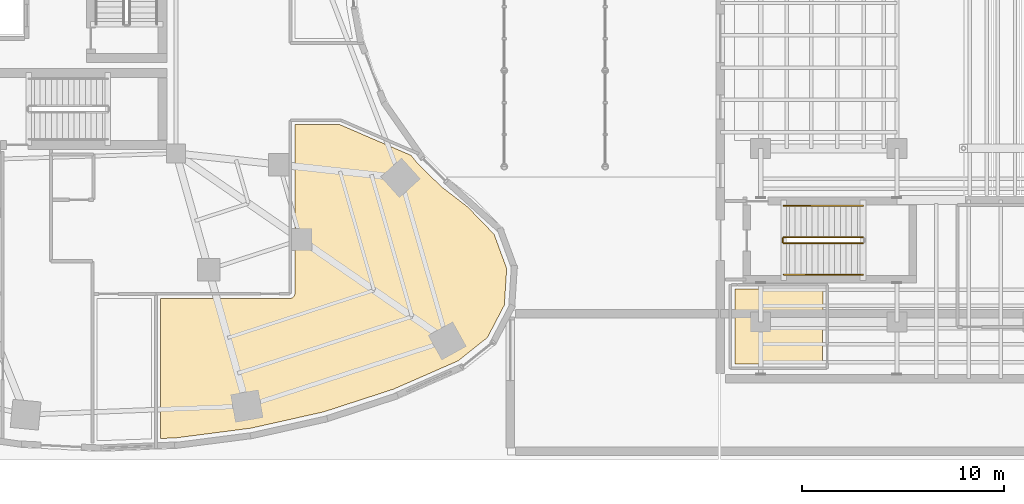
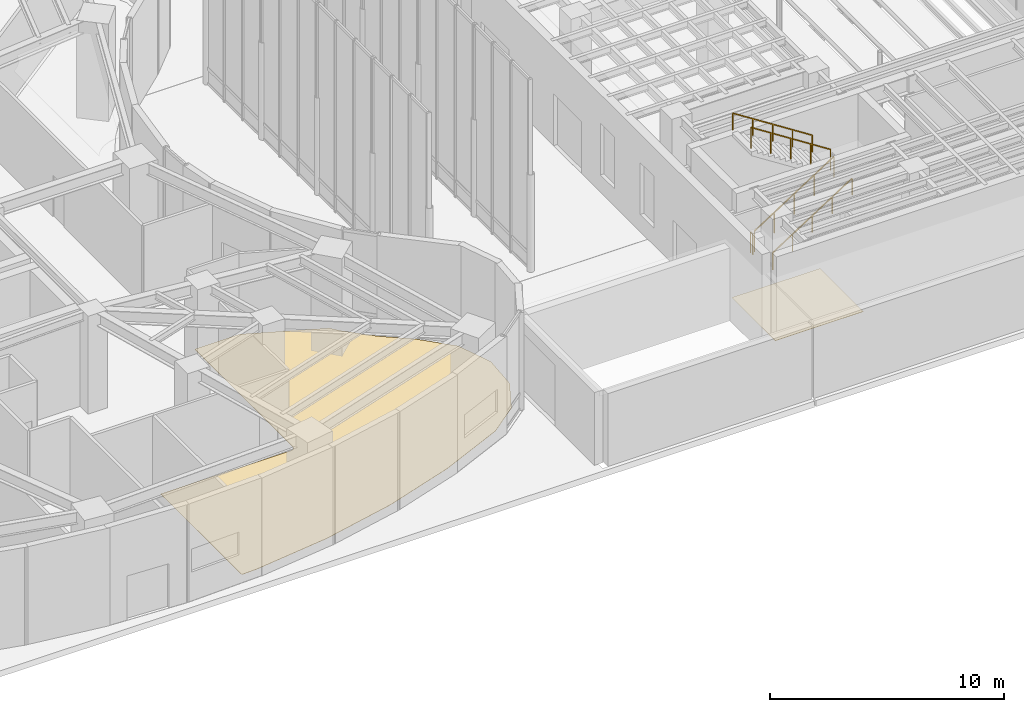
# One storey, part 25 of 28: 5 railings, 2 coverings.
"""IFC4 building model written with IfcOpenShell, lengths in metres."""

import ifcopenshell
import ifcopenshell.guid

model = None  # the IFC model being written
_history = None  # IfcOwnerHistory: only IFC2X3 demands one
_inside = {}  # id of a spatial element -> (the spatial element, [elements in it])
_under = {}  # id of a project, library or spatial element -> (it, [spatial elements below it])
_declared = {}  # id of a project -> (the project, [libraries it declares])
_typed = {}  # id of a type object -> (the type object, [elements of that type])
_made_of = {}  # id of a material, layer set ... -> (it, [elements and type objects made of it])


def new_model(schema):
    """Start an empty IFC model of exactly this schema.

    Asked for "IFC4X3", IfcOpenShell would pick the latest addendum, in which some entities
    have other attributes; the version numbers below select the first issue.
    IFC2X3 requires an IfcOwnerHistory on every rooted entity: one is made here for all.
    """
    global model, _history
    if schema == "IFC4X3":
        model = ifcopenshell.file(schema_version=(4, 3, 0, 0))
    else:
        model = ifcopenshell.file(schema=schema)
    _inside.clear()
    _under.clear()
    _declared.clear()
    _typed.clear()
    _made_of.clear()
    _history = None
    if model.schema == "IFC2X3":
        org = make("IfcOrganization", Name="unknown")
        user = make(
            "IfcPersonAndOrganization",
            ThePerson=make("IfcPerson", FamilyName="unknown"),
            TheOrganization=org,
        )
        app = make(
            "IfcApplication",
            ApplicationDeveloper=org,
            Version="unknown",
            ApplicationFullName="unknown",
            ApplicationIdentifier="unknown",
        )
        _history = make(
            "IfcOwnerHistory",
            OwningUser=user,
            OwningApplication=app,
            ChangeAction="ADDED",
            CreationDate=0,
        )
    return model


def make(cls, **values):
    """One entity of the class cls with the attributes given. An attribute that is None is left unset."""
    return model.create_entity(
        cls, **{name: value for name, value in values.items() if value is not None}
    )


def rooted(cls, **values):
    """An entity with a GlobalId (a new one), such as an element, a storey or a relation."""
    return make(cls, GlobalId=ifcopenshell.guid.new(), OwnerHistory=_history, **values)


def si_unit(unit_type, name, prefix=None):
    """IfcSIUnit, for example si_unit("LENGTHUNIT", "METRE", prefix="MILLI")."""
    return make("IfcSIUnit", UnitType=unit_type, Prefix=prefix, Name=name)


def assignment(units):
    """IfcUnitAssignment: the units of a project."""
    return None if units is None else make("IfcUnitAssignment", Units=units)


def point(xyz):
    """IfcCartesianPoint."""
    return None if xyz is None else make("IfcCartesianPoint", Coordinates=xyz)


def direction(xyz):
    """IfcDirection."""
    return None if xyz is None else make("IfcDirection", DirectionRatios=xyz)


def frame(location, z_axis=None, x_axis=None):
    """IfcAxis2Placement3D, a coordinate frame: its origin and axes. An axis left out is left unset."""
    return make(
        "IfcAxis2Placement3D",
        Location=point(location),
        Axis=direction(z_axis),
        RefDirection=direction(x_axis),
    )


def frame_2d(location, x_axis=None):
    """IfcAxis2Placement2D, a coordinate frame in the plane: its origin and x axis."""
    return make(
        "IfcAxis2Placement2D", Location=point(location), RefDirection=direction(x_axis)
    )


def origin():
    """The frame at (0, 0, 0) with its axes left unset."""
    return frame((0.0, 0.0, 0.0))


def origin_2d():
    """The frame at (0, 0) in the plane with its x axis left unset."""
    return frame_2d((0.0, 0.0))


def place(relative_to, where):
    """IfcLocalPlacement: puts the frame where relative to a parent placement (None: the world)."""
    return make(
        "IfcLocalPlacement", PlacementRelTo=relative_to, RelativePlacement=where
    )


def context(
    kind, dimensions, precision=None, world=None, true_north=None, identifier=None
):
    """IfcGeometricRepresentationContext, for example the 3D "Model" context."""
    return make(
        "IfcGeometricRepresentationContext",
        ContextIdentifier=identifier,
        ContextType=kind,
        CoordinateSpaceDimension=dimensions,
        Precision=precision,
        WorldCoordinateSystem=world,
        TrueNorth=true_north,
    )


def subcontext(parent, identifier, kind, view, scale=None):
    """IfcGeometricRepresentationSubContext, for example "Body" below "Model"."""
    return make(
        "IfcGeometricRepresentationSubContext",
        ContextIdentifier=identifier,
        ContextType=kind,
        ParentContext=parent,
        TargetScale=scale,
        TargetView=view,
    )


def project(units=None, contexts=None):
    """IfcProject with its units and contexts."""
    return rooted(
        "IfcProject",
        Name="project",
        RepresentationContexts=contexts,
        UnitsInContext=assignment(units),
    )


def spatial(cls, under=None, at=None, **own):
    """A site, building, storey or space (cls), placed at a placement, below another one or the project."""
    s = rooted(cls, ObjectPlacement=at, **own)
    if under is not None:
        _under.setdefault(under.id(), (under, []))[1].append(s)
    return s


def polyline(points):
    """IfcPolyline through the points."""
    return make("IfcPolyline", Points=[point(p) for p in points])


def profile(cls, at=None, kind="AREA", **sizes):
    """A parametric profile (cls). Its sizes go by their IFC names, for example OverallWidth=200.0."""
    return make(cls, ProfileType=kind, Position=at, **sizes)


def rectangle(**sizes):
    """IfcRectangleProfileDef."""
    return profile("IfcRectangleProfileDef", **sizes)


def outline(outer, holes=None, kind="AREA"):
    """IfcArbitraryClosedProfileDef: a profile drawn as a closed curve; with holes, ...WithVoids."""
    if holes is None:
        return make("IfcArbitraryClosedProfileDef", ProfileType=kind, OuterCurve=outer)
    return make(
        "IfcArbitraryProfileDefWithVoids",
        ProfileType=kind,
        OuterCurve=outer,
        InnerCurves=holes,
    )


def extrude(swept, where, along, depth):
    """IfcExtrudedAreaSolid: the profile swept, set in the frame where, extruded along a direction by depth."""
    return make(
        "IfcExtrudedAreaSolid",
        SweptArea=swept,
        Position=where,
        ExtrudedDirection=direction(along),
        Depth=depth,
    )


def shape(context_of_items, identifier, shape_type, items):
    """IfcShapeRepresentation: the items that make up one representation, for example the "Body"."""
    return make(
        "IfcShapeRepresentation",
        ContextOfItems=context_of_items,
        RepresentationIdentifier=identifier,
        RepresentationType=shape_type,
        Items=items,
    )


def material(Name=None, Category=None):
    """IfcMaterial."""
    return make("IfcMaterial", Name=Name, Category=Category)


def layer(
    of_material, thickness, ventilated=None, Name=None, Category=None, Priority=None
):
    """IfcMaterialLayer: one layer of a wall or slab, of a material (None: an air gap)."""
    return make(
        "IfcMaterialLayer",
        Material=of_material,
        LayerThickness=thickness,
        IsVentilated=ventilated,
        Name=Name,
        Category=Category,
        Priority=Priority,
    )


def layer_set(layers, Name=None):
    """IfcMaterialLayerSet."""
    return make("IfcMaterialLayerSet", MaterialLayers=layers, LayerSetName=Name)


def made_of(thing, what):
    """Note that an element or type object is made of a material, layer set ...; save() writes the relation."""
    if what is not None:
        _made_of.setdefault(what.id(), (what, []))[1].append(thing)
    return thing


def type_object(cls, material=None, **own):
    """A type object (cls), such as IfcWallType, which elements share."""
    return made_of(rooted(cls, **own), material)


def element(
    cls,
    number,
    at=None,
    inside=None,
    cuts=None,
    type_object=None,
    material=None,
    context=None,
    identifier="Body",
    shape_type=None,
    held_by="IfcProductDefinitionShape",
    body=None,
    shapes=None,
    **own,
):
    """One element of the class cls, such as IfcWall. Its Tag is "e" and its number.

    at: its placement. inside: the storey or other place that contains it. cuts: it is an
    opening in that element (IfcRelVoidsElement). A single representation is given by context,
    identifier, shape_type and body (its items); several are given by shapes. held_by: the class
    of the entity that holds the representations. save() writes the other relations.
    """
    e = rooted(cls, Tag="e%d" % number, ObjectPlacement=at, **own)
    if body is not None:
        shapes = [shape(context, identifier, shape_type, body)]
    if shapes is not None:
        e.Representation = make(held_by, Representations=shapes)
    if inside is not None:
        _inside.setdefault(inside.id(), (inside, []))[1].append(e)
    if cuts is not None:
        rooted(
            "IfcRelVoidsElement", RelatingBuildingElement=cuts, RelatedOpeningElement=e
        )
    if type_object is not None:
        _typed.setdefault(type_object.id(), (type_object, []))[1].append(e)
    return made_of(e, material)


def aggregate(whole, parts):
    """IfcRelAggregates: a whole, such as a stair, and the parts it consists of."""
    return rooted("IfcRelAggregates", RelatingObject=whole, RelatedObjects=parts)


def save(model, path):
    """Write the relations noted so far, then the file.

    IfcRelAggregates (storeys below a building ...), IfcRelContainedInSpatialStructure (elements
    in a storey), IfcRelDefinesByType, IfcRelAssociatesMaterial and IfcRelDeclares: one each for
    every whole, place, type object, material and project.
    """
    for whole, parts in _under.values():
        aggregate(whole, parts)
    for where, things in _inside.values():
        rooted(
            "IfcRelContainedInSpatialStructure",
            RelatedElements=things,
            RelatingStructure=where,
        )
    for kind, things in _typed.values():
        rooted("IfcRelDefinesByType", RelatedObjects=things, RelatingType=kind)
    for what, things in _made_of.values():
        rooted("IfcRelAssociatesMaterial", RelatedObjects=things, RelatingMaterial=what)
    for by, libraries in _declared.values():
        rooted("IfcRelDeclares", RelatingContext=by, RelatedDefinitions=libraries)
    model.write(path)


model = new_model("IFC4")

# Units and contexts
model_context = context("Model", 3, precision=1e-05, world=origin(), true_north=direction((0.0, 1.0)))
body_context = subcontext(model_context, "Body", "Model", "MODEL_VIEW")
ifc_project = project(units=[si_unit("LENGTHUNIT", "METRE"), si_unit("AREAUNIT", "SQUARE_METRE"), si_unit("VOLUMEUNIT", "CUBIC_METRE"), si_unit("PLANEANGLEUNIT", "RADIAN"), si_unit("MASSUNIT", "GRAM", prefix="KILO")], contexts=[model_context])

# Site, building, storey
site_placement = place(None, origin())
site = spatial("IfcSite", under=ifc_project, at=site_placement, CompositionType="ELEMENT")
building_placement = place(site_placement, origin())
building = spatial("IfcBuilding", under=site, at=building_placement, Name="Korentha Bioscience Tower", CompositionType="ELEMENT")
storey_placement = place(building_placement, origin())
storey = spatial("IfcBuildingStorey", under=building, at=storey_placement, Name="L00", CompositionType="ELEMENT", Elevation=0.0)

# Coverings
ifc_material_1 = material(Name="Vitrified Porcelain Tile", Category="ceramic")
ifc_layer = layer(ifc_material_1, 0.014892578125, Name="Vitrified Porcelain Tile")
ifc_layer_set = layer_set([ifc_layer], Name="Vitrified Porcelain Tile (FL-CER)")
covering_type = type_object("IfcCoveringType", Name="Anti-Slip Ceramic Wet-Room Tile Flooring 15", PredefinedType="FLOORING", material=ifc_layer_set)
covering_1_placement = place(storey_placement, origin())
element("IfcCovering", 1, at=covering_1_placement, inside=storey, type_object=covering_type, Name="L00 Ground Accessible Public Restroom 04 Floor Finish", PredefinedType="FLOORING", context=body_context, shape_type="SweptSolid", body=[
    extrude(outline(polyline([(44.857421875, 5.34716796875), (41.2451171875, 4.538818359375), (37.526611328125, 4.057861328125), (36.778076171875, 4.02880859375), (36.778076171875, 10.969970703125), (43.199951171875, 10.969970703125), (43.27783203125, 10.983642578125), (43.354736328125, 11.02978515625), (43.408203125, 11.10205078125), (43.429931640625, 11.199951171875), (43.429931640625, 19.570068359375), (45.66455078125, 19.570068359375), (49.18603515625, 18.053466796875), (49.499267578125, 17.664794921875), (50.677001953125, 16.507568359375), (51.988525390625, 15.4970703125), (53.29736328125, 14.14453125), (53.922607421875, 12.44384765625), (53.805419921875, 10.6357421875), (52.966552734375, 9.02978515625), (51.5166015625, 7.875244140625), (48.310302734375, 6.470458984375), (44.857421875, 5.34716796875)])), origin(), (0.0, 0.0, 1.0), 0.014892578125),
])
covering_2_placement = place(storey_placement, origin())
element("IfcCovering", 2, at=covering_2_placement, inside=storey, type_object=covering_type, Name="L00 L00 Theatre Public Restrooms Floor Finish", PredefinedType="FLOORING", context=body_context, shape_type="SweptSolid", body=[
    extrude(outline(polyline([(65.219970703125, 11.429931640625), (69.580078125, 11.419921875), (69.570068359375, 7.719970703125), (65.219970703125, 7.719970703125), (65.219970703125, 11.429931640625)])), origin(), (0.0, 0.0, 1.0), 0.014892578125),
])

# Railings
ifc_material_2 = material(Name="Stainless Steel 304", Category="steel")
railing_type_1 = type_object("IfcRailingType", Name="Brushed Stainless Stair Handrail 900", PredefinedType="HANDRAIL", material=ifc_material_2)
railing_1_placement = place(storey_placement, frame((67.64990234375, 12.14990234375, 0.179931640625)))
element("IfcRailing", 3, at=railing_1_placement, inside=storey, type_object=railing_type_1, Name="L00 ST-T1 stair handrail 1", PredefinedType="HANDRAIL", context=body_context, shape_type="SweptSolid", body=[
    extrude(rectangle(XDim=0.048095703125, YDim=0.048095703125, at=origin_2d()), frame((0.0, 0.0, 0.8759765625), z_axis=(0.841186985886, 0.0, 0.540744352514), x_axis=(0.0, 1.0, 0.0)), (0.0, 0.0, 1.0), 4.660400390625),
    extrude(rectangle(XDim=0.0419921875, YDim=0.0419921875, at=origin_2d()), origin(), (0.0, 0.0, 1.0), 0.851806640625),
    extrude(rectangle(XDim=0.0419921875, YDim=0.0419921875, at=origin_2d()), frame((0.97998046875, 0.0, 0.6298828125)), (0.0, 0.0, 1.0), 0.851806640625),
    extrude(rectangle(XDim=0.0419921875, YDim=0.0419921875, at=origin_2d()), frame((1.9599609375, 0.0, 1.260009765625)), (0.0, 0.0, 1.0), 0.851806640625),
    extrude(rectangle(XDim=0.0419921875, YDim=0.0419921875, at=origin_2d()), frame((2.940185546875, 0.0, 1.89013671875)), (0.0, 0.0, 1.0), 0.851806640625),
    extrude(rectangle(XDim=0.0419921875, YDim=0.0419921875, at=origin_2d()), frame((3.920166015625, 0.0, 2.52001953125)), (0.0, 0.0, 1.0), 0.851806640625),
])
railing_2_placement = place(storey_placement, frame((71.570068359375, 15.550048828125, 2.8798828125)))
element("IfcRailing", 4, at=railing_2_placement, inside=storey, type_object=railing_type_1, Name="L00 ST-T1 stair handrail 2", PredefinedType="HANDRAIL", context=body_context, shape_type="SweptSolid", body=[
    extrude(rectangle(XDim=0.048095703125, YDim=0.048095703125, at=origin_2d()), frame((0.0, 0.0, 0.8759765625), z_axis=(-0.841186985886, 0.0, 0.540744352514), x_axis=(0.0, -1.0, 0.0)), (0.0, 0.0, 1.0), 4.660400390625),
    extrude(rectangle(XDim=0.0419921875, YDim=0.0419921875, at=origin_2d()), origin(), (0.0, 0.0, 1.0), 0.851806640625),
    extrude(rectangle(XDim=0.0419921875, YDim=0.0419921875, at=origin_2d()), frame((-0.97998046875, 0.0, 0.6298828125)), (0.0, 0.0, 1.0), 0.851806640625),
    extrude(rectangle(XDim=0.0419921875, YDim=0.0419921875, at=origin_2d()), frame((-1.9599609375, 0.0, 1.260009765625)), (0.0, 0.0, 1.0), 0.851806640625),
    extrude(rectangle(XDim=0.0419921875, YDim=0.0419921875, at=origin_2d()), frame((-2.940185546875, 0.0, 1.89013671875)), (0.0, 0.0, 1.0), 0.851806640625),
    extrude(rectangle(XDim=0.0419921875, YDim=0.0419921875, at=origin_2d()), frame((-3.920166015625, 0.0, 2.52001953125)), (0.0, 0.0, 1.0), 0.851806640625),
])
ifc_material_3 = material(Name="Painted Steel S275", Category="steel")
railing_type_2 = type_object("IfcRailingType", Name="Painted Steel Stair Well Guardrail 1100", PredefinedType="GUARDRAIL", material=ifc_material_3)
railing_3_placement = place(storey_placement, frame((67.64990234375, 13.699951171875, 0.179931640625)))
element("IfcRailing", 5, at=railing_3_placement, inside=storey, type_object=railing_type_2, Name="L00 ST-T1 stair guard 1", PredefinedType="GUARDRAIL", context=body_context, shape_type="SweptSolid", body=[
    extrude(rectangle(XDim=0.048095703125, YDim=0.048095703125, at=origin_2d()), frame((0.0, 0.0, 1.076171875), z_axis=(0.841186985886, 0.0, 0.540744352514), x_axis=(0.0, 1.0, 0.0)), (0.0, 0.0, 1.0), 4.660400390625),
    extrude(rectangle(XDim=0.0419921875, YDim=0.0419921875, at=origin_2d()), origin(), (0.0, 0.0, 1.0), 1.052001953125),
    extrude(rectangle(XDim=0.0419921875, YDim=0.0419921875, at=origin_2d()), frame((0.97998046875, 0.0, 0.6298828125)), (0.0, 0.0, 1.0), 1.052001953125),
    extrude(rectangle(XDim=0.0419921875, YDim=0.0419921875, at=origin_2d()), frame((1.9599609375, 0.0, 1.260009765625)), (0.0, 0.0, 1.0), 1.052001953125),
    extrude(rectangle(XDim=0.0419921875, YDim=0.0419921875, at=origin_2d()), frame((2.940185546875, 0.0, 1.89013671875)), (0.0, 0.0, 1.0), 1.052001953125),
    extrude(rectangle(XDim=0.0419921875, YDim=0.0419921875, at=origin_2d()), frame((3.920166015625, 0.0, 2.52001953125)), (0.0, 0.0, 1.0), 1.052001953125),
])
railing_4_placement = place(storey_placement, frame((71.570068359375, 14.0, 2.8798828125)))
element("IfcRailing", 6, at=railing_4_placement, inside=storey, type_object=railing_type_2, Name="L00 ST-T1 stair guard 3", PredefinedType="GUARDRAIL", context=body_context, shape_type="SweptSolid", body=[
    extrude(rectangle(XDim=0.048095703125, YDim=0.048095703125, at=origin_2d()), frame((0.0, 0.0, 1.076171875), z_axis=(-0.841186985886, 0.0, 0.540744352514), x_axis=(0.0, -1.0, 0.0)), (0.0, 0.0, 1.0), 4.660400390625),
    extrude(rectangle(XDim=0.0419921875, YDim=0.0419921875, at=origin_2d()), origin(), (0.0, 0.0, 1.0), 1.052001953125),
    extrude(rectangle(XDim=0.0419921875, YDim=0.0419921875, at=origin_2d()), frame((-0.97998046875, 0.0, 0.6298828125)), (0.0, 0.0, 1.0), 1.052001953125),
    extrude(rectangle(XDim=0.0419921875, YDim=0.0419921875, at=origin_2d()), frame((-1.9599609375, 0.0, 1.260009765625)), (0.0, 0.0, 1.0), 1.052001953125),
    extrude(rectangle(XDim=0.0419921875, YDim=0.0419921875, at=origin_2d()), frame((-2.940185546875, 0.0, 1.89013671875)), (0.0, 0.0, 1.0), 1.052001953125),
    extrude(rectangle(XDim=0.0419921875, YDim=0.0419921875, at=origin_2d()), frame((-3.920166015625, 0.0, 2.52001953125)), (0.0, 0.0, 1.0), 1.052001953125),
])
railing_5_placement = place(storey_placement, frame((67.60009765625, 13.75, 0.0)))
element("IfcRailing", 7, at=railing_5_placement, inside=storey, type_object=railing_type_2, Name="L00 ST-T1 stair guard 4", PredefinedType="GUARDRAIL", context=body_context, shape_type="SweptSolid", body=[
    extrude(rectangle(XDim=0.048095703125, YDim=0.048095703125, at=origin_2d()), frame((0.0, 0.0, 1.076171875), z_axis=(0.0, 1.0, 0.0), x_axis=(-1.0, 0.0, 0.0)), (0.0, 0.0, 1.0), 0.199951171875),
    extrude(rectangle(XDim=0.0419921875, YDim=0.0419921875, at=origin_2d()), origin(), (0.0, 0.0, 1.0), 1.052001953125),
    extrude(rectangle(XDim=0.0419921875, YDim=0.0419921875, at=origin_2d()), frame((0.0, 0.199951171875, 0.0)), (0.0, 0.0, 1.0), 1.052001953125),
])

save(model, "model.ifc")
